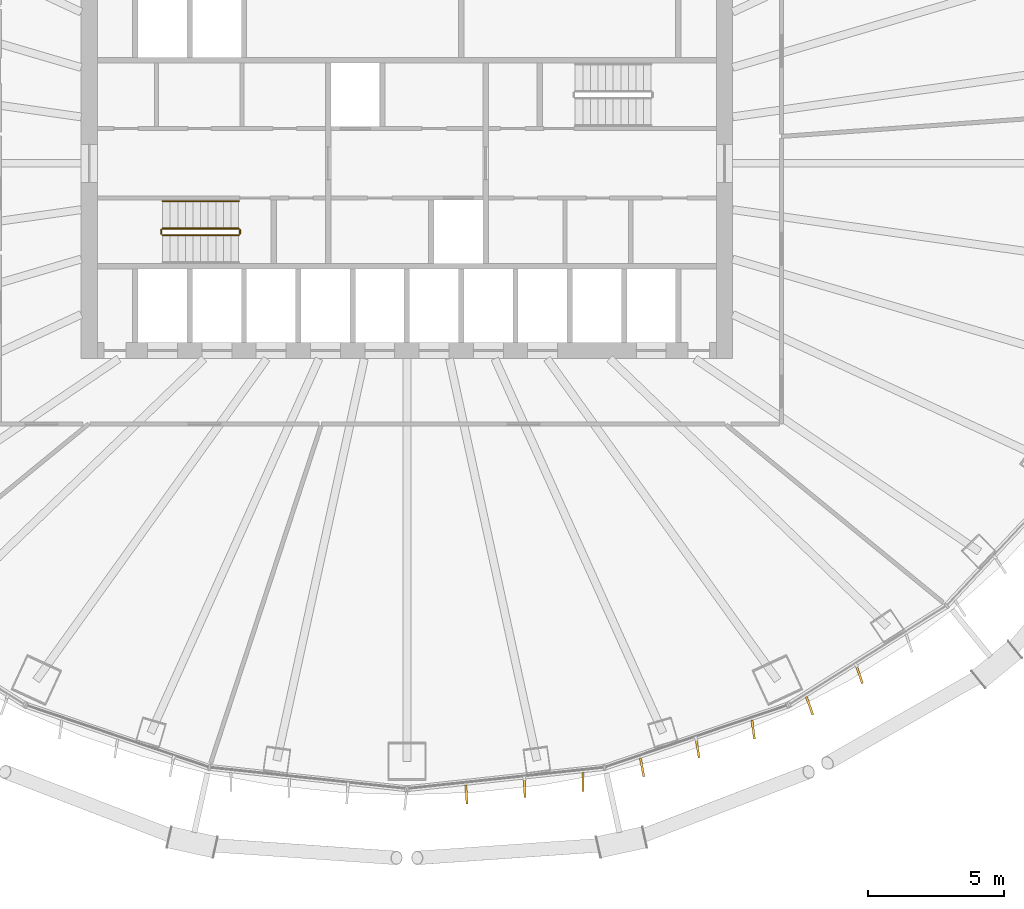
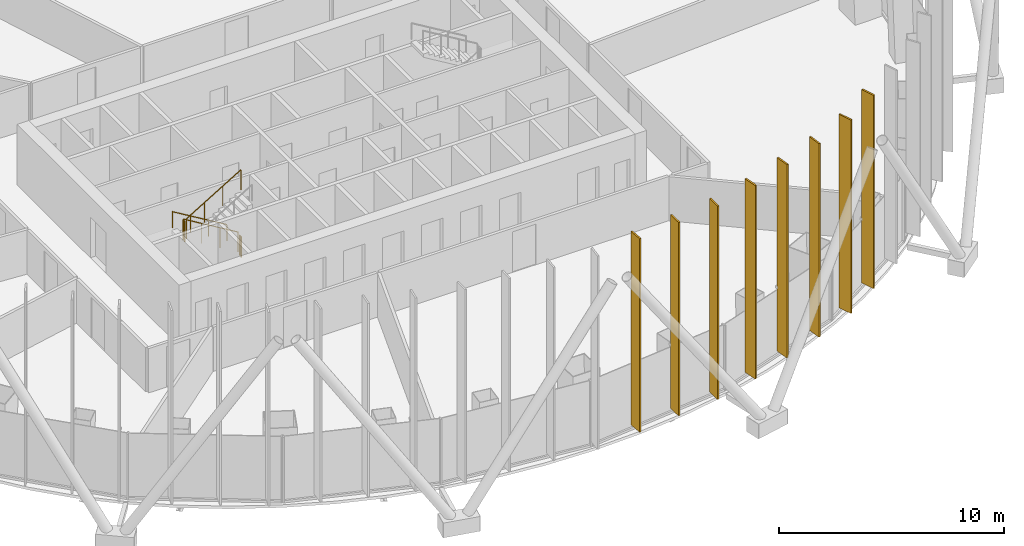
# One storey, part 20 of 22: 8 shading devices, 5 railings.
"""IFC4 building model written with IfcOpenShell, lengths in metres."""

from ifc_helpers import new_model, si_unit, direction, frame, origin, origin_2d, place, context, subcontext, project, spatial, rectangle, circle, extrude, material, layer, layer_set, type_object, element, save


model = new_model("IFC4")

# Units and contexts
model_context = context("Model", 3, precision=1e-05, world=origin(), true_north=direction((0.0, 1.0)))
body_context = subcontext(model_context, "Body", "Model", "MODEL_VIEW")
ifc_project = project(units=[si_unit("LENGTHUNIT", "METRE"), si_unit("AREAUNIT", "SQUARE_METRE"), si_unit("VOLUMEUNIT", "CUBIC_METRE"), si_unit("PLANEANGLEUNIT", "RADIAN"), si_unit("MASSUNIT", "GRAM", prefix="KILO")], contexts=[model_context])

# Site, building, storey
site_placement = place(None, origin())
site = spatial("IfcSite", under=ifc_project, at=site_placement, CompositionType="ELEMENT")
building_placement = place(site_placement, origin())
building = spatial("IfcBuilding", under=site, at=building_placement, Name="Siaravel Broadcast Tower", CompositionType="ELEMENT")
storey_placement = place(building_placement, frame((0.0, 0.0, 37.10009765625)))
storey = spatial("IfcBuildingStorey", under=building, at=storey_placement, Name="L07", CompositionType="ELEMENT", Elevation=37.10009765625)

# Shading devices
ifc_material_1 = material(Name="Bronze anodised aluminium", Category="aluminium")
ifc_layer = layer(ifc_material_1, 0.080078125)
ifc_layer_set = layer_set([ifc_layer], Name="Bronze anodised aluminium")
shading_device_type = type_object("IfcShadingDeviceType", Name="Bronze fin zone 1", PredefinedType="USERDEFINED", material=ifc_layer_set)
for number, where, z_axis, x_axis, name in (
    (1, (2.193359375, -23.253173828125, 0.2998046875), (0.0, 0.0, 1.0), (0.069711206, -0.997567215, 0.0), "Bronze fin L07-57"),
    (2, (4.338623046875, -23.02099609375, 0.2998046875), (0.0, 0.0, 1.0), (0.032703383, -0.999465101, 0.0), "Bronze fin L07-58"),
    (3, (6.48486328125, -22.78857421875, 0.2998046875), (0.0, 0.0, 1.0), (-0.002403316, -0.999997112, 0.0), "Bronze fin L07-59"),
    (4, (8.664794921875, -22.25244140625, 0.2998046875), (0.0, 0.0, 1.0), (0.183573917, -0.983005909, 0.0), "Bronze fin L07-60"),
    (5, (10.710205078125, -21.556884765625, 0.2998046875), (0.0, 0.0, 1.0), (0.154329301, -0.988019467, 0.0), "Bronze fin L07-61"),
    (6, (12.75732421875, -20.860595703125, 0.2998046875), (0.0, 0.0, 1.0), (0.129261166, -0.991610584, 0.0), "Bronze fin L07-62"),
    (7, (14.833984375, -19.98388671875, 0.2998046875), (0.0, 0.0, 1.0), (0.336571033, -0.94165808, 0.0), "Bronze fin L07-63"),
    (8, (16.6669921875, -18.830322265625, 0.2998046875), (0.0, 0.0, 1.0), (0.322176474, -0.946679629, 0.0), "Bronze fin L07-64"),
):
    element("IfcShadingDevice", number, at=place(storey_placement, frame(where, z_axis=z_axis, x_axis=x_axis)), inside=storey, type_object=shading_device_type, Name=name, ObjectType="FIN", PredefinedType="USERDEFINED", context=body_context, shape_type="SweptSolid", body=[
        extrude(rectangle(XDim=0.699951171875, YDim=0.080078125, at=origin_2d()), origin(), (0.0, 0.0, 1.0), 10.5),
    ])

# Railings
ifc_material_2 = material(Name="Stainless steel 316L", Category="steel")
railing_type_1 = type_object("IfcRailingType", Name="Stair guard 1100", PredefinedType="GUARDRAIL", material=ifc_material_2)
railing_1_placement = place(storey_placement, frame((-6.199951171875, -2.39990234375, 0.16796875)))
element("IfcRailing", 9, at=railing_1_placement, inside=storey, type_object=railing_type_1, Name="L07 ST-1 stair guard 1", PredefinedType="GUARDRAIL", context=body_context, shape_type="SweptSolid", body=[
    extrude(circle(Radius=0.02392578125, at=origin_2d()), frame((0.0, 0.0, 1.076171875), z_axis=(-0.857242211, 0.0, 0.514913383), x_axis=(0.0, -1.0, 0.0)), (0.0, 0.0, 1.0), 3.266357421875),
    extrude(circle(Radius=0.02099609375, at=origin_2d()), origin(), (0.0, 0.0, 1.0), 1.052001953125),
    extrude(circle(Radius=0.02099609375, at=origin_2d()), frame((-0.933349609375, 0.0, 0.560546875)), (0.0, 0.0, 1.0), 1.052001953125),
    extrude(circle(Radius=0.02099609375, at=origin_2d()), frame((-1.86669921875, 0.0, 1.121337890625)), (0.0, 0.0, 1.0), 1.052001953125),
    extrude(circle(Radius=0.02099609375, at=origin_2d()), frame((-2.800048828125, 0.0, 1.681884765625)), (0.0, 0.0, 1.0), 1.052001953125),
])
railing_2_placement = place(storey_placement, frame((-9.050048828125, -2.449951171875, 1.849853515625)))
element("IfcRailing", 10, at=railing_2_placement, inside=storey, type_object=railing_type_1, Name="L07 ST-1 stair guard 2", PredefinedType="GUARDRAIL", context=body_context, shape_type="SweptSolid", body=[
    extrude(circle(Radius=0.02392578125, at=origin_2d()), frame((0.0, 0.0, 1.076171875), z_axis=(0.0, -1.0, 0.0), x_axis=(1.0, 0.0, 0.0)), (0.0, 0.0, 1.0), 0.150146484375),
    extrude(circle(Radius=0.02099609375, at=origin_2d()), origin(), (0.0, 0.0, 1.0), 1.052001953125),
    extrude(circle(Radius=0.02099609375, at=origin_2d()), frame((0.0, -0.150146484375, 0.0)), (0.0, 0.0, 1.0), 1.052001953125),
])
railing_3_placement = place(storey_placement, frame((-9.0, -2.64990234375, 2.01806640625)))
element("IfcRailing", 11, at=railing_3_placement, inside=storey, type_object=railing_type_1, Name="L07 ST-1 stair guard 3", PredefinedType="GUARDRAIL", context=body_context, shape_type="SweptSolid", body=[
    extrude(circle(Radius=0.02392578125, at=origin_2d()), frame((0.0, 0.0, 1.076171875), z_axis=(0.857242211, 0.0, 0.514913383), x_axis=(0.0, 1.0, 0.0)), (0.0, 0.0, 1.0), 3.266357421875),
    extrude(circle(Radius=0.02099609375, at=origin_2d()), origin(), (0.0, 0.0, 1.0), 1.052001953125),
    extrude(circle(Radius=0.02099609375, at=origin_2d()), frame((0.933349609375, 0.0, 0.560546875)), (0.0, 0.0, 1.0), 1.052001953125),
    extrude(circle(Radius=0.02099609375, at=origin_2d()), frame((1.86669921875, 0.0, 1.121337890625)), (0.0, 0.0, 1.0), 1.052001953125),
    extrude(circle(Radius=0.02099609375, at=origin_2d()), frame((2.800048828125, 0.0, 1.681884765625)), (0.0, 0.0, 1.0), 1.052001953125),
])
railing_4_placement = place(storey_placement, frame((-6.14990234375, -2.449951171875, 0.0)))
element("IfcRailing", 12, at=railing_4_placement, inside=storey, type_object=railing_type_1, Name="L07 ST-1 stair guard 4", PredefinedType="GUARDRAIL", context=body_context, shape_type="SweptSolid", body=[
    extrude(circle(Radius=0.02392578125, at=origin_2d()), frame((0.0, 0.0, 1.076171875), z_axis=(0.0, -1.0, 0.0), x_axis=(1.0, 0.0, 0.0)), (0.0, 0.0, 1.0), 0.150146484375),
    extrude(circle(Radius=0.02099609375, at=origin_2d()), origin(), (0.0, 0.0, 1.0), 1.052001953125),
    extrude(circle(Radius=0.02099609375, at=origin_2d()), frame((0.0, -0.150146484375, 0.0)), (0.0, 0.0, 1.0), 1.052001953125),
])
railing_type_2 = type_object("IfcRailingType", Name="Stair handrail 900", PredefinedType="HANDRAIL", material=ifc_material_2)
railing_5_placement = place(storey_placement, frame((-6.199951171875, -1.39990234375, 0.16796875)))
element("IfcRailing", 13, at=railing_5_placement, inside=storey, type_object=railing_type_2, Name="L07 ST-1 stair handrail 1", PredefinedType="HANDRAIL", context=body_context, shape_type="SweptSolid", body=[
    extrude(circle(Radius=0.02392578125, at=origin_2d()), frame((0.0, 0.0, 0.8759765625), z_axis=(-0.857242211, 0.0, 0.514913383), x_axis=(0.0, -1.0, 0.0)), (0.0, 0.0, 1.0), 3.266357421875),
    extrude(circle(Radius=0.02099609375, at=origin_2d()), origin(), (0.0, 0.0, 1.0), 0.851806640625),
    extrude(circle(Radius=0.02099609375, at=origin_2d()), frame((-0.933349609375, 0.0, 0.560546875)), (0.0, 0.0, 1.0), 0.851806640625),
    extrude(circle(Radius=0.02099609375, at=origin_2d()), frame((-1.86669921875, 0.0, 1.121337890625)), (0.0, 0.0, 1.0), 0.851806640625),
    extrude(circle(Radius=0.02099609375, at=origin_2d()), frame((-2.800048828125, 0.0, 1.681884765625)), (0.0, 0.0, 1.0), 0.851806640625),
])

save(model, "model.ifc")
